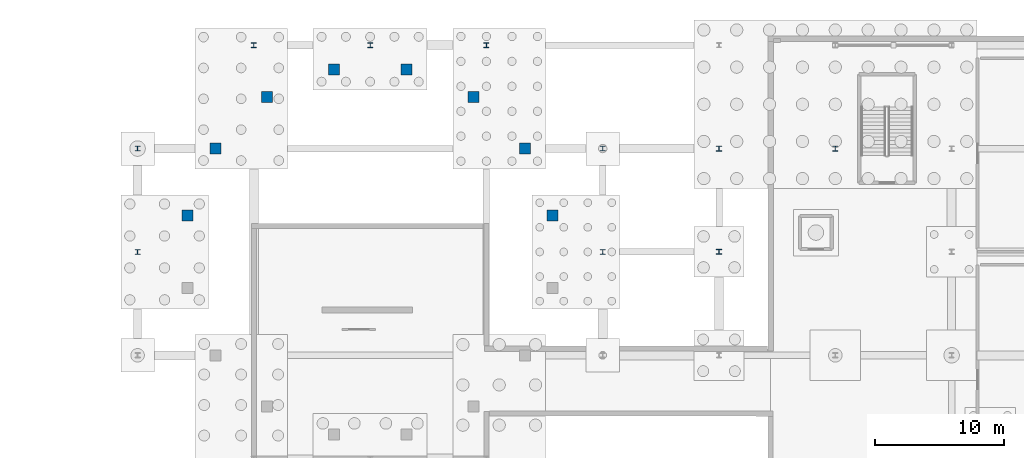
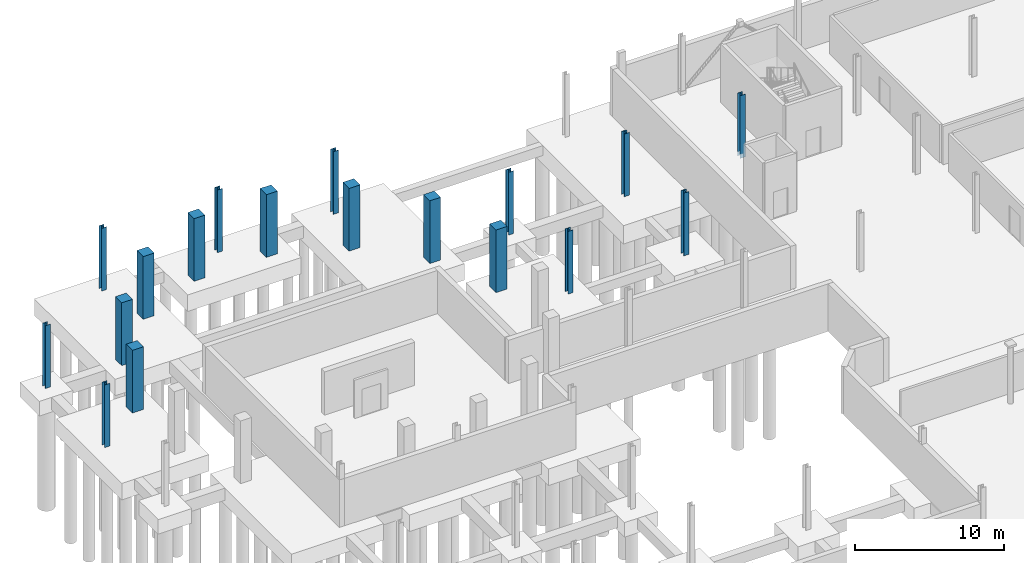
# One storey, part 20 of 37: 18 columns.
"""IFC4 building model written with IfcOpenShell, lengths in metres."""

from ifc_helpers import new_model, si_unit, direction, frame, origin, origin_2d, place, context, subcontext, project, spatial, rectangle, i_section, extrude, material, material_profile, profile_set, type_object, element, save


model = new_model("IFC4")

# Units and contexts
model_context = context("Model", 3, precision=1e-05, world=origin(), true_north=direction((0.0, 1.0)))
body_context = subcontext(model_context, "Body", "Model", "MODEL_VIEW")
ifc_project = project(units=[si_unit("LENGTHUNIT", "METRE"), si_unit("AREAUNIT", "SQUARE_METRE"), si_unit("VOLUMEUNIT", "CUBIC_METRE"), si_unit("PLANEANGLEUNIT", "RADIAN"), si_unit("MASSUNIT", "GRAM", prefix="KILO"), si_unit("THERMODYNAMICTEMPERATUREUNIT", "KELVIN"), si_unit("POWERUNIT", "WATT")], contexts=[model_context])

# Site, building, storey
site_placement = place(None, origin())
site = spatial("IfcSite", under=ifc_project, at=site_placement, CompositionType="ELEMENT")
building_placement = place(site_placement, origin())
building = spatial("IfcBuilding", under=site, at=building_placement, Name="Zelmaris Science Centre", CompositionType="ELEMENT")
storey_placement = place(building_placement, frame((0.0, 0.0, -4.800048828125)))
storey = spatial("IfcBuildingStorey", under=building, at=storey_placement, Name="B1", CompositionType="ELEMENT", Elevation=-4.800048828125)

# Columns
ifc_material_1 = material(Name="Steel ASTM A992 Grade 50", Category="steel")
ifc_material_profile_1 = material_profile(ifc_material_1, i_section(OverallWidth=0.39892578125, OverallDepth=0.385986328125, WebThickness=0.02099609375, FlangeThickness=0.033203125, FilletRadius=0.014892578125, at=origin_2d()), Name="W14X176")
ifc_profile_set_1 = profile_set([ifc_material_profile_1], Name="Steel ASTM A992 Grade 50")
column_type_1 = type_object("IfcColumnType", Name="Column C-04 W14X176", PredefinedType="COLUMN", material=ifc_profile_set_1)
for number, where, z_axis, x_axis, name in (
    (1, (54.0, 72.0, -0.349853515625), (0.0, 0.0, 1.0), (1.0, 0.0, 0.0), "Column V5-C-54-72 B1"),
    (2, (54.0, 80.0, -0.349853515625), (0.0, 0.0, 1.0), (1.0, 0.0, 0.0), "Column V5-C-54-80 B1"),
    (3, (63.0, 80.0, -0.349853515625), (0.0, 0.0, 1.0), (1.0, 0.0, 0.0), "Column V5-C-63-80 B1"),
):
    element("IfcColumn", number, at=place(storey_placement, frame(where, z_axis=z_axis, x_axis=x_axis)), inside=storey, type_object=column_type_1, Name=name, PredefinedType="COLUMN", context=body_context, shape_type="SweptSolid", body=[
        extrude(i_section(OverallWidth=0.39892578125, OverallDepth=0.385986328125, WebThickness=0.02099609375, FlangeThickness=0.033203125, FilletRadius=0.014892578125, at=origin_2d()), origin(), (0.0, 0.0, 1.0), 5.14990234375),
    ])
ifc_material_profile_2 = material_profile(ifc_material_1, i_section(OverallWidth=0.39404296875, OverallDepth=0.3759765625, WebThickness=0.017333984375, FlangeThickness=0.027587890625, FilletRadius=0.014892578125, at=origin_2d()), Name="W14X145")
ifc_profile_set_2 = profile_set([ifc_material_profile_2], Name="Steel ASTM A992 Grade 50")
column_type_2 = type_object("IfcColumnType", Name="Column C-05 W14X145", PredefinedType="COLUMN", material=ifc_profile_set_2)
for number, where, z_axis, x_axis, name in (
    (4, (18.0, 88.0, -0.349853515625), (0.0, 0.0, 1.0), (1.0, 0.0, 0.0), "Column V1-PC04 B1"),
    (5, (27.0, 88.0, -0.349853515625), (0.0, 0.0, 1.0), (1.0, 0.0, 0.0), "Column V1-PC05 B1"),
    (6, (36.0, 88.0, -0.349853515625), (0.0, 0.0, 1.0), (1.0, 0.0, 0.0), "Column V1-PC06 B1"),
    (7, (9.0, 72.0, -0.349853515625), (0.0, 0.0, 1.0), (1.0, 0.0, 0.0), "Column V1-PC08 B1"),
    (8, (9.0, 80.0, -0.349853515625), (0.0, 0.0, 1.0), (1.0, 0.0, 0.0), "Column V1-PC09 B1"),
    (9, (45.0, 72.0, -0.349853515625), (0.0, 0.0, 1.0), (1.0, 0.0, 0.0), "Column V1-PC11 B1"),
    (10, (45.0, 80.0, -0.349853515625), (0.0, 0.0, 1.0), (1.0, 0.0, 0.0), "Column V1-PC12 B1"),
):
    element("IfcColumn", number, at=place(storey_placement, frame(where, z_axis=z_axis, x_axis=x_axis)), inside=storey, type_object=column_type_2, Name=name, PredefinedType="COLUMN", context=body_context, shape_type="SweptSolid", body=[
        extrude(i_section(OverallWidth=0.39404296875, OverallDepth=0.3759765625, WebThickness=0.017333984375, FlangeThickness=0.027587890625, FilletRadius=0.014892578125, at=origin_2d()), origin(), (0.0, 0.0, 1.0), 5.14990234375),
    ])
ifc_material_2 = material(Name="Concrete C40/50", Category="concrete")
ifc_material_profile_3 = material_profile(ifc_material_2, rectangle(XDim=0.85009765625, YDim=0.85009765625, at=origin_2d()), Name="RC-COL-850X850")
ifc_profile_set_3 = profile_set([ifc_material_profile_3], Name="Concrete C40/50")
column_type_3 = type_object("IfcColumnType", Name="Column C-14 RC-COL-850X850", PredefinedType="COLUMN", material=ifc_profile_set_3)
for number, where, z_axis, x_axis, name in (
    (11, (41.123291015625, 74.809326171875, -0.349853515625), (0.0, 0.0, 1.0), (1.0, 0.0, 0.0), "Column V1-DC01 B1"),
    (12, (38.97314453125, 80.000244140625, -0.349853515625), (0.0, 0.0, 1.0), (1.0, 0.0, 0.0), "Column V1-DC02 B1"),
    (13, (35.000244140625, 83.97314453125, -0.349853515625), (0.0, 0.0, 1.0), (1.0, 0.0, 0.0), "Column V1-DC03 B1"),
    (14, (29.809326171875, 86.123291015625, -0.349853515625), (0.0, 0.0, 1.0), (1.0, 0.0, 0.0), "Column V1-DC04 B1"),
    (15, (24.190673828125, 86.123291015625, -0.349853515625), (0.0, 0.0, 1.0), (1.0, 0.0, 0.0), "Column V1-DC05 B1"),
    (16, (18.999755859375, 83.97314453125, -0.349853515625), (0.0, 0.0, 1.0), (1.0, 0.0, 0.0), "Column V1-DC06 B1"),
    (17, (15.02685546875, 80.000244140625, -0.349853515625), (0.0, 0.0, 1.0), (1.0, 0.0, 0.0), "Column V1-DC07 B1"),
    (18, (12.876708984375, 74.809326171875, -0.349853515625), (0.0, 0.0, 1.0), (1.0, 0.0, 0.0), "Column V1-DC08 B1"),
):
    element("IfcColumn", number, at=place(storey_placement, frame(where, z_axis=z_axis, x_axis=x_axis)), inside=storey, type_object=column_type_3, Name=name, PredefinedType="COLUMN", context=body_context, shape_type="SweptSolid", body=[
        extrude(rectangle(XDim=0.85009765625, YDim=0.85009765625, at=origin_2d()), origin(), (0.0, 0.0, 1.0), 5.14990234375),
    ])

save(model, "model.ifc")
